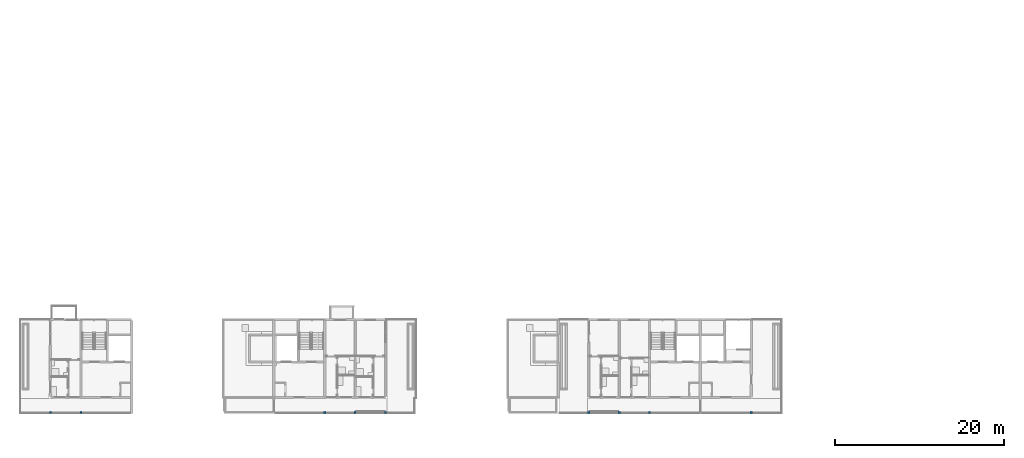
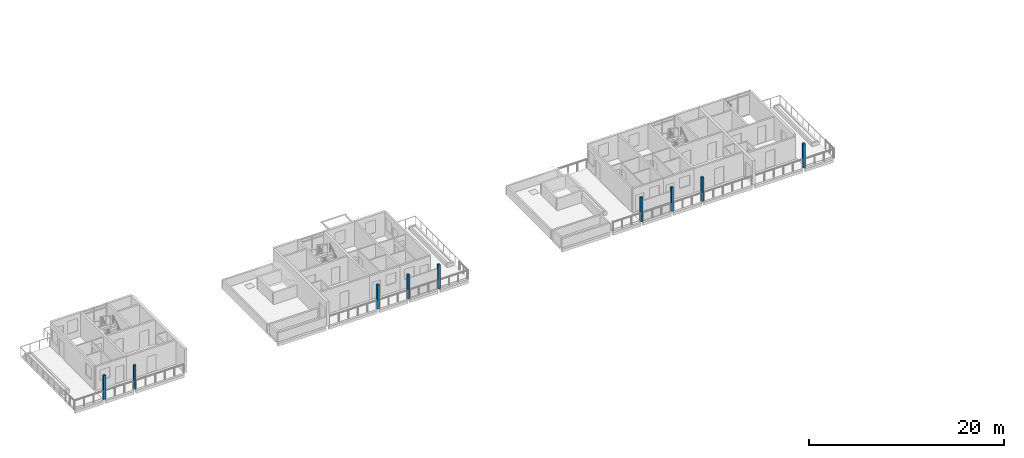
# One storey, part 1 of 41: 9 columns.
"""IFC4 building model written with IfcOpenShell, lengths in metres."""

from ifc_helpers import new_model, si_unit, direction, frame, origin, origin_2d, place, context, subcontext, project, spatial, rectangle, extrude, material, material_profile, profile_set, type_object, element, save


model = new_model("IFC4")

# Units and contexts
model_context = context("Model", 3, precision=1e-05, world=origin(), true_north=direction((0.0, 1.0)))
body_context = subcontext(model_context, "Body", "Model", "MODEL_VIEW")
ifc_project = project(units=[si_unit("LENGTHUNIT", "METRE"), si_unit("AREAUNIT", "SQUARE_METRE"), si_unit("VOLUMEUNIT", "CUBIC_METRE"), si_unit("PLANEANGLEUNIT", "RADIAN"), si_unit("MASSUNIT", "GRAM", prefix="KILO")], contexts=[model_context])

# Site, building, storey
site_placement = place(None, origin())
site = spatial("IfcSite", under=ifc_project, at=site_placement, CompositionType="ELEMENT")
building_placement = place(site_placement, origin())
building = spatial("IfcBuilding", under=site, at=building_placement, Name="Ridgestep Commons", CompositionType="ELEMENT")
storey_placement = place(building_placement, frame((0.0, 0.0, 39.0)))
storey = spatial("IfcBuildingStorey", under=building, at=storey_placement, Name="L13", CompositionType="ELEMENT", Elevation=39.0)

# Columns
ifc_material = material(Name="Precast concrete C40/50", Category="concrete")
ifc_material_profile = material_profile(ifc_material, rectangle(XDim=0.25, YDim=0.25, at=origin_2d()), Name="PC 250x250")
ifc_profile_set = profile_set([ifc_material_profile], Name="Precast concrete C40/50")
column_type = type_object("IfcColumnType", Name="Loggia column 250 x 250", PredefinedType="COLUMN", material=ifc_profile_set)
for number, where, z_axis, x_axis, name in (
    (1, (19.199951171875, 11.875, 0.0), (0.0, 0.0, 1.0), (1.0, 0.0, 0.0), "Loggia column A L13"),
    (2, (22.800048828125, 11.875, 0.0), (0.0, 0.0, 1.0), (1.0, 0.0, 0.0), "Loggia column A L13"),
    (3, (51.60009765625, 11.875, 0.0), (0.0, 0.0, 1.0), (1.0, 0.0, 0.0), "Loggia column A L13"),
    (4, (55.199951171875, 11.875, 0.0), (0.0, 0.0, 1.0), (1.0, 0.0, 0.0), "Loggia column A L13"),
    (5, (58.800048828125, 11.875, 0.0), (0.0, 0.0, 1.0), (1.0, 0.0, 0.0), "Loggia column A L13"),
    (6, (82.800048828125, 11.875, 0.0), (0.0, 0.0, 1.0), (1.0, 0.0, 0.0), "Loggia column A L13"),
    (7, (86.39990234375, 11.875, 0.0), (0.0, 0.0, 1.0), (1.0, 0.0, 0.0), "Loggia column A L13"),
    (8, (90.0, 11.875, 0.0), (0.0, 0.0, 1.0), (1.0, 0.0, 0.0), "Loggia column A L13"),
    (9, (102.0, 11.875, 0.0), (0.0, 0.0, 1.0), (1.0, 0.0, 0.0), "Loggia column A L13"),
):
    element("IfcColumn", number, at=place(storey_placement, frame(where, z_axis=z_axis, x_axis=x_axis)), inside=storey, type_object=column_type, Name=name, PredefinedType="COLUMN", context=body_context, shape_type="SweptSolid", body=[
        extrude(rectangle(XDim=0.25, YDim=0.25, at=origin_2d()), origin(), (0.0, 0.0, 1.0), 3.0),
    ])

save(model, "model.ifc")
